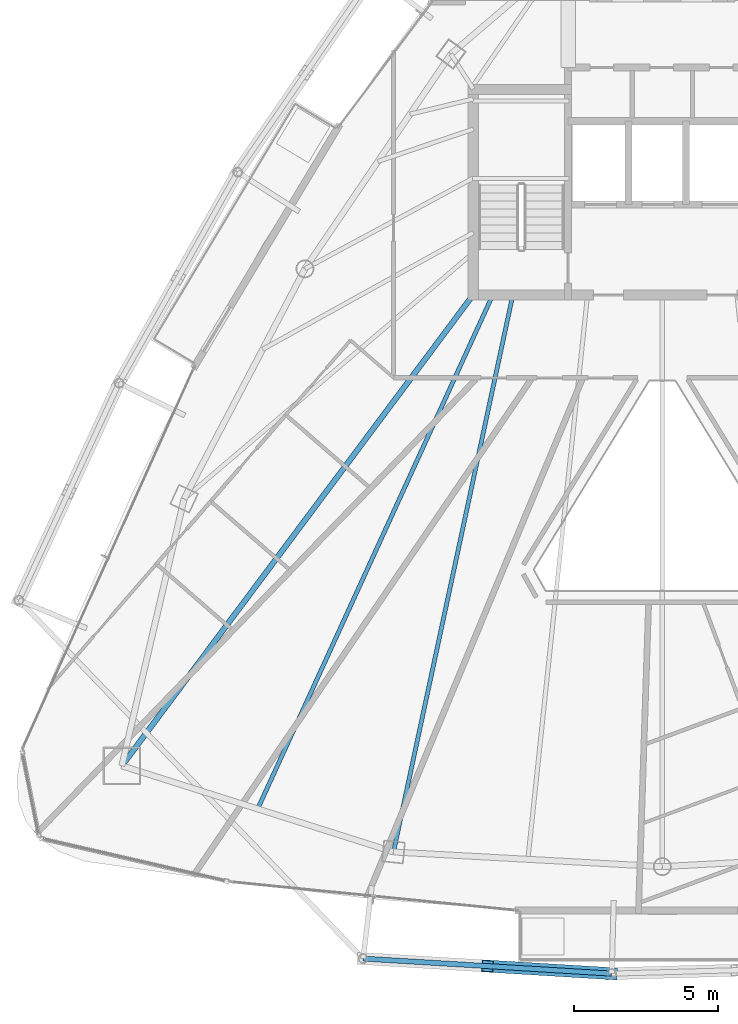
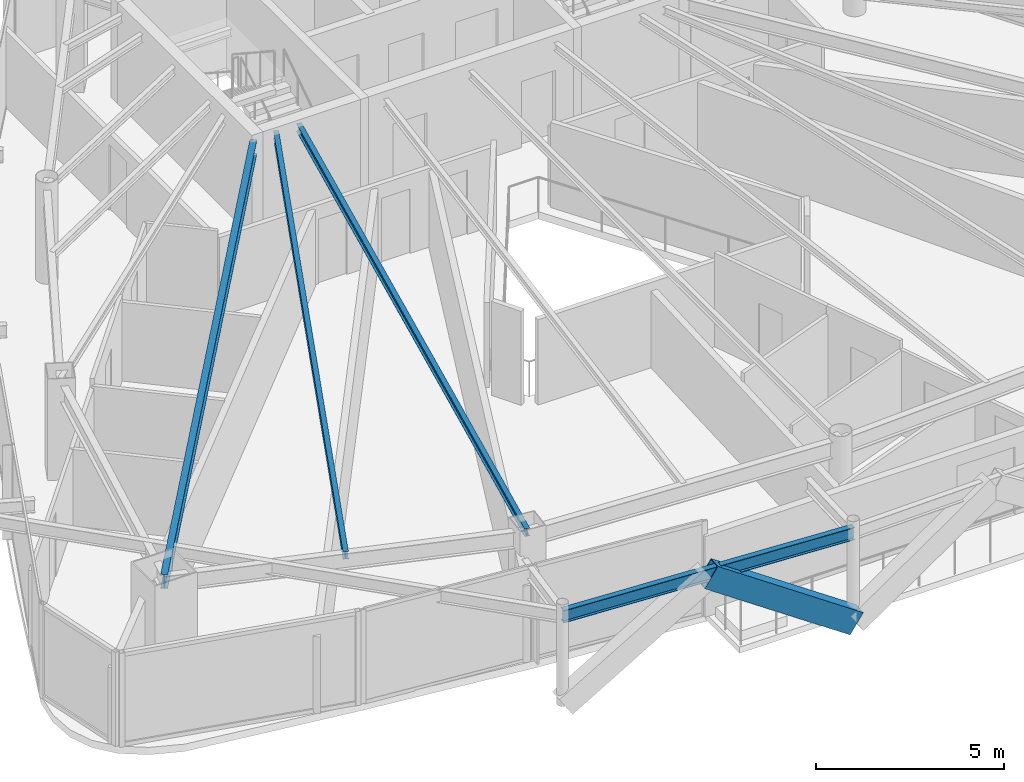
# One storey, part 6 of 30: 4 beams, 1 member.
"""IFC4 building model written with IfcOpenShell, lengths in metres."""

from ifc_helpers import new_model, si_unit, direction, frame, origin, origin_2d, place, context, subcontext, project, spatial, hollow_rectangle, i_section, extrude, material, material_profile, profile_set, type_object, element, save


model = new_model("IFC4")

# Units and contexts
model_context = context("Model", 3, precision=1e-05, world=origin(), true_north=direction((0.0, 1.0)))
body_context = subcontext(model_context, "Body", "Model", "MODEL_VIEW")
ifc_project = project(units=[si_unit("LENGTHUNIT", "METRE"), si_unit("AREAUNIT", "SQUARE_METRE"), si_unit("VOLUMEUNIT", "CUBIC_METRE"), si_unit("PLANEANGLEUNIT", "RADIAN"), si_unit("MASSUNIT", "GRAM", prefix="KILO")], contexts=[model_context])

# Site, building, storey
site_placement = place(None, origin())
site = spatial("IfcSite", under=ifc_project, at=site_placement, CompositionType="ELEMENT")
building_placement = place(site_placement, origin())
building = spatial("IfcBuilding", under=site, at=building_placement, Name="Orvanel Arch Residences", CompositionType="ELEMENT")
storey_placement = place(building_placement, frame((0.0, 0.0, 240.35009765625)))
storey = spatial("IfcBuildingStorey", under=building, at=storey_placement, Name="L68", CompositionType="ELEMENT", Elevation=240.35009765625)

# Beams
ifc_material_1 = material(Name="Structural steel AS/NZS 3679.1 Grade 300 (300 MPa)", Category="steel")
ifc_material_profile_1 = material_profile(ifc_material_1, i_section(OverallWidth=0.19091796875, OverallDepth=0.4599609375, WebThickness=0.010009765625, FlangeThickness=0.01611328125, at=origin_2d()), Name="460UB82.1")
ifc_profile_set_1 = profile_set([ifc_material_profile_1], Name="Structural steel AS/NZS 3679.1 Grade 300 (300 MPa)")
beam_type_1 = type_object("IfcBeamType", Name="BG-460UB", PredefinedType="BEAM", material=ifc_profile_set_1)
beam_1_placement = place(storey_placement, frame((26.375, 26.675048828125, 2.829833984375), z_axis=(-0.597893733742, -0.801575375839, 0.0), x_axis=(0.801575375839, -0.597893733742, 0.0)))
element("IfcBeam", 1, at=beam_1_placement, inside=storey, type_object=beam_type_1, Name="L68 South-West Radial Girder", PredefinedType="BEAM", context=body_context, shape_type="SweptSolid", body=[
    extrude(i_section(OverallWidth=0.19091796875, OverallDepth=0.4599609375, WebThickness=0.010009765625, FlangeThickness=0.01611328125, at=origin_2d()), origin(), (0.0, 0.0, 1.0), 20.36474609375),
])
ifc_material_profile_2 = material_profile(ifc_material_1, i_section(OverallWidth=0.14599609375, OverallDepth=0.251953125, WebThickness=0.006103515625, FlangeThickness=0.008544921875, at=origin_2d()), Name="250UB31.4")
ifc_profile_set_2 = profile_set([ifc_material_profile_2], Name="Structural steel AS/NZS 3679.1 Grade 300 (300 MPa)")
beam_type_2 = type_object("IfcBeamType", Name="BJ-250UB", PredefinedType="JOIST", material=ifc_profile_set_2)
beam_2_placement = place(storey_placement, frame((27.800048828125, 26.72509765625, 2.933837890625), z_axis=(-0.209547604985, -0.977798446125, 0.0), x_axis=(0.977798446125, -0.209547604985, 0.0)))
element("IfcBeam", 2, at=beam_2_placement, inside=storey, type_object=beam_type_2, Name="L68 SW Wing Floor Joist", PredefinedType="JOIST", context=body_context, shape_type="SweptSolid", body=[
    extrude(i_section(OverallWidth=0.14599609375, OverallDepth=0.251953125, WebThickness=0.006103515625, FlangeThickness=0.008544921875, at=origin_2d()), origin(), (0.0, 0.0, 1.0), 19.809814453125),
])
beam_3_placement = place(storey_placement, frame((27.10009765625, 26.72509765625, 2.933837890625), z_axis=(-0.416009574066, -0.909360233508, 0.0), x_axis=(0.909360233508, -0.416009574066, 0.0)))
element("IfcBeam", 3, at=beam_3_placement, inside=storey, type_object=beam_type_2, Name="L68 JADD1 Wing Floor Joist", PredefinedType="JOIST", context=body_context, shape_type="SweptSolid", body=[
    extrude(i_section(OverallWidth=0.14599609375, OverallDepth=0.251953125, WebThickness=0.006103515625, FlangeThickness=0.008544921875, at=origin_2d()), origin(), (0.0, 0.0, 1.0), 19.653564453125),
])

# Member
ifc_material_2 = material(Name="Structural steel AS/NZS 3678 Grade 350", Category="steel")
ifc_material_profile_3 = material_profile(ifc_material_2, hollow_rectangle(XDim=0.419921875, YDim=0.719970703125, WallThickness=0.02490234375, at=origin_2d()), Name="RHS720x420x25")
ifc_profile_set_3 = profile_set([ifc_material_profile_3], Name="Structural steel AS/NZS 3678 Grade 350")
member_type = type_object("IfcMemberType", Name="BR-720RHS-EXT", PredefinedType="BRACE", material=ifc_profile_set_3)
member_placement = place(storey_placement, frame((31.239990234375, 3.123046875, 0.0), z_axis=(-0.833269559395, 0.050482651303, 0.55055730247), x_axis=(-0.060472939706, -0.998169837033, 0.0)))
element("IfcMember", 4, at=member_placement, inside=storey, type_object=member_type, Name="L68 Exterior Sky-Garden V-Frame Chevron F2B1.2", PredefinedType="BRACE", context=body_context, shape_type="SweptSolid", body=[
    extrude(hollow_rectangle(XDim=0.419921875, YDim=0.719970703125, WallThickness=0.02490234375, at=origin_2d()), origin(), (0.0, 0.0, 1.0), 5.189208984375),
])

# Beam
ifc_material_profile_4 = material_profile(ifc_material_1, i_section(OverallWidth=0.177978515625, OverallDepth=0.406005859375, WebThickness=0.0078125, FlangeThickness=0.0126953125, at=origin_2d()), Name="410UB59.7")
ifc_profile_set_4 = profile_set([ifc_material_profile_4], Name="Structural steel AS/NZS 3679.1 Grade 300 (300 MPa)")
beam_type_3 = type_object("IfcBeamType", Name="OB-410UB-EXT", PredefinedType="SPANDREL", material=ifc_profile_set_4)
beam_4_placement = place(storey_placement, frame((22.592041015625, 3.64599609375, 2.85693359375), z_axis=(0.998176634645, -0.060360633262, 0.0), x_axis=(0.060360633262, 0.998176634645, 0.0)))
element("IfcBeam", 5, at=beam_4_placement, inside=storey, type_object=beam_type_3, Name="L68 Outer Perimeter Floor Ring Beam 05", PredefinedType="SPANDREL", context=body_context, shape_type="SweptSolid", body=[
    extrude(i_section(OverallWidth=0.177978515625, OverallDepth=0.406005859375, WebThickness=0.0078125, FlangeThickness=0.0126953125, at=origin_2d()), origin(), (0.0, 0.0, 1.0), 8.663818359375),
])

save(model, "model.ifc")
